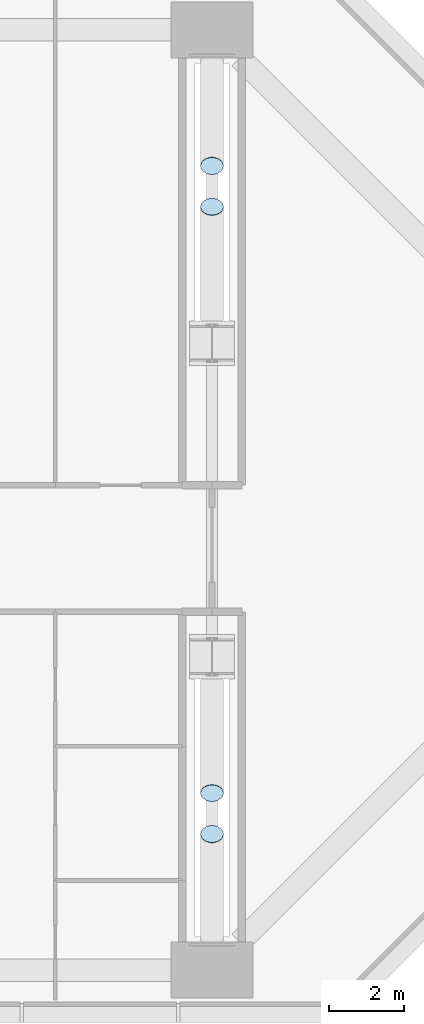
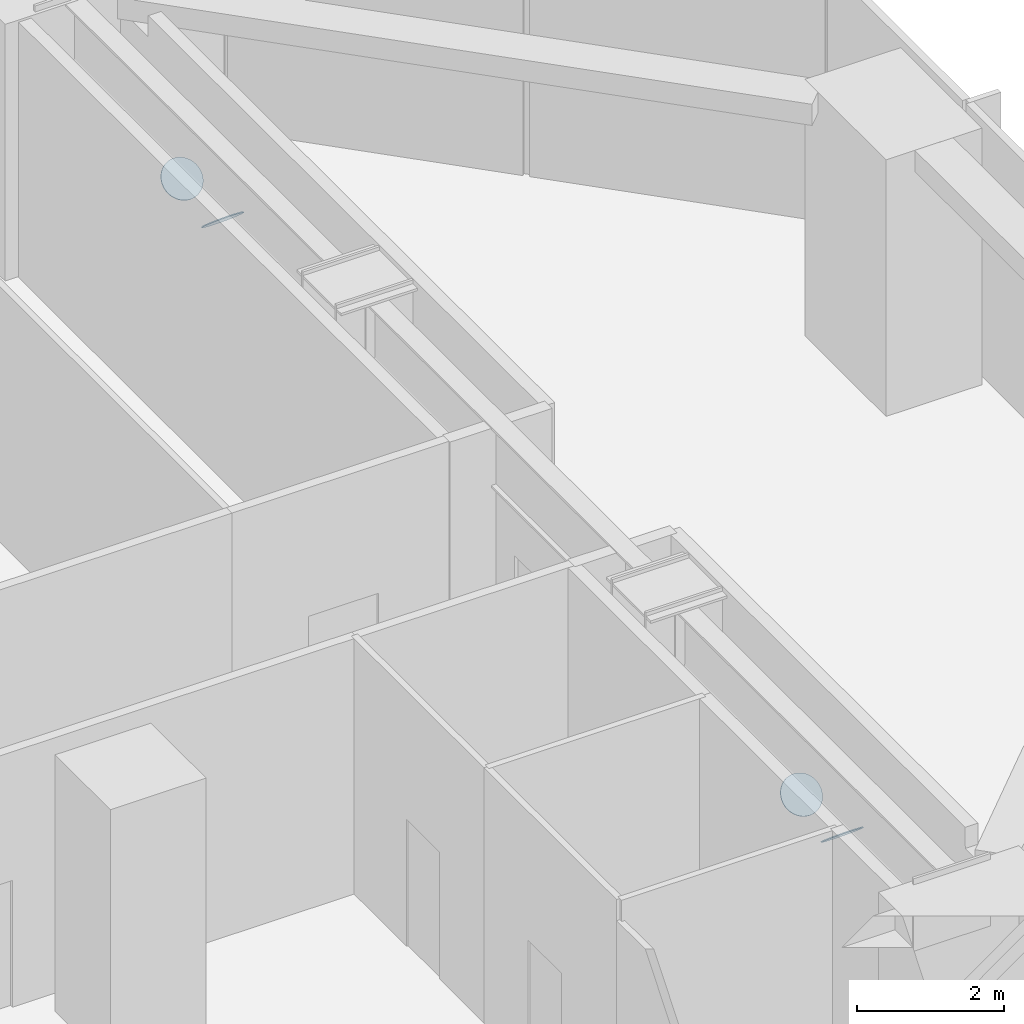
# One storey, part 8 of 18: 4 plates.
"""IFC4 building model written with IfcOpenShell, lengths in metres."""

import ifcopenshell
import ifcopenshell.guid

model = None  # the IFC model being written
_history = None  # IfcOwnerHistory: only IFC2X3 demands one
_inside = {}  # id of a spatial element -> (the spatial element, [elements in it])
_under = {}  # id of a project, library or spatial element -> (it, [spatial elements below it])
_declared = {}  # id of a project -> (the project, [libraries it declares])
_typed = {}  # id of a type object -> (the type object, [elements of that type])
_made_of = {}  # id of a material, layer set ... -> (it, [elements and type objects made of it])


def new_model(schema):
    """Start an empty IFC model of exactly this schema.

    Asked for "IFC4X3", IfcOpenShell would pick the latest addendum, in which some entities
    have other attributes; the version numbers below select the first issue.
    IFC2X3 requires an IfcOwnerHistory on every rooted entity: one is made here for all.
    """
    global model, _history
    if schema == "IFC4X3":
        model = ifcopenshell.file(schema_version=(4, 3, 0, 0))
    else:
        model = ifcopenshell.file(schema=schema)
    _inside.clear()
    _under.clear()
    _declared.clear()
    _typed.clear()
    _made_of.clear()
    _history = None
    if model.schema == "IFC2X3":
        org = make("IfcOrganization", Name="unknown")
        user = make(
            "IfcPersonAndOrganization",
            ThePerson=make("IfcPerson", FamilyName="unknown"),
            TheOrganization=org,
        )
        app = make(
            "IfcApplication",
            ApplicationDeveloper=org,
            Version="unknown",
            ApplicationFullName="unknown",
            ApplicationIdentifier="unknown",
        )
        _history = make(
            "IfcOwnerHistory",
            OwningUser=user,
            OwningApplication=app,
            ChangeAction="ADDED",
            CreationDate=0,
        )
    return model


def make(cls, **values):
    """One entity of the class cls with the attributes given. An attribute that is None is left unset."""
    return model.create_entity(
        cls, **{name: value for name, value in values.items() if value is not None}
    )


def rooted(cls, **values):
    """An entity with a GlobalId (a new one), such as an element, a storey or a relation."""
    return make(cls, GlobalId=ifcopenshell.guid.new(), OwnerHistory=_history, **values)


def si_unit(unit_type, name, prefix=None):
    """IfcSIUnit, for example si_unit("LENGTHUNIT", "METRE", prefix="MILLI")."""
    return make("IfcSIUnit", UnitType=unit_type, Prefix=prefix, Name=name)


def assignment(units):
    """IfcUnitAssignment: the units of a project."""
    return None if units is None else make("IfcUnitAssignment", Units=units)


def point(xyz):
    """IfcCartesianPoint."""
    return None if xyz is None else make("IfcCartesianPoint", Coordinates=xyz)


def direction(xyz):
    """IfcDirection."""
    return None if xyz is None else make("IfcDirection", DirectionRatios=xyz)


def frame(location, z_axis=None, x_axis=None):
    """IfcAxis2Placement3D, a coordinate frame: its origin and axes. An axis left out is left unset."""
    return make(
        "IfcAxis2Placement3D",
        Location=point(location),
        Axis=direction(z_axis),
        RefDirection=direction(x_axis),
    )


def frame_2d(location, x_axis=None):
    """IfcAxis2Placement2D, a coordinate frame in the plane: its origin and x axis."""
    return make(
        "IfcAxis2Placement2D", Location=point(location), RefDirection=direction(x_axis)
    )


def origin():
    """The frame at (0, 0, 0) with its axes left unset."""
    return frame((0.0, 0.0, 0.0))


def origin_2d():
    """The frame at (0, 0) in the plane with its x axis left unset."""
    return frame_2d((0.0, 0.0))


def place(relative_to, where):
    """IfcLocalPlacement: puts the frame where relative to a parent placement (None: the world)."""
    return make(
        "IfcLocalPlacement", PlacementRelTo=relative_to, RelativePlacement=where
    )


def context(
    kind, dimensions, precision=None, world=None, true_north=None, identifier=None
):
    """IfcGeometricRepresentationContext, for example the 3D "Model" context."""
    return make(
        "IfcGeometricRepresentationContext",
        ContextIdentifier=identifier,
        ContextType=kind,
        CoordinateSpaceDimension=dimensions,
        Precision=precision,
        WorldCoordinateSystem=world,
        TrueNorth=true_north,
    )


def subcontext(parent, identifier, kind, view, scale=None):
    """IfcGeometricRepresentationSubContext, for example "Body" below "Model"."""
    return make(
        "IfcGeometricRepresentationSubContext",
        ContextIdentifier=identifier,
        ContextType=kind,
        ParentContext=parent,
        TargetScale=scale,
        TargetView=view,
    )


def project(units=None, contexts=None):
    """IfcProject with its units and contexts."""
    return rooted(
        "IfcProject",
        Name="project",
        RepresentationContexts=contexts,
        UnitsInContext=assignment(units),
    )


def spatial(cls, under=None, at=None, **own):
    """A site, building, storey or space (cls), placed at a placement, below another one or the project."""
    s = rooted(cls, ObjectPlacement=at, **own)
    if under is not None:
        _under.setdefault(under.id(), (under, []))[1].append(s)
    return s


def profile(cls, at=None, kind="AREA", **sizes):
    """A parametric profile (cls). Its sizes go by their IFC names, for example OverallWidth=200.0."""
    return make(cls, ProfileType=kind, Position=at, **sizes)


def circle(**sizes):
    """IfcCircleProfileDef."""
    return profile("IfcCircleProfileDef", **sizes)


def extrude(swept, where, along, depth):
    """IfcExtrudedAreaSolid: the profile swept, set in the frame where, extruded along a direction by depth."""
    return make(
        "IfcExtrudedAreaSolid",
        SweptArea=swept,
        Position=where,
        ExtrudedDirection=direction(along),
        Depth=depth,
    )


def shape(context_of_items, identifier, shape_type, items):
    """IfcShapeRepresentation: the items that make up one representation, for example the "Body"."""
    return make(
        "IfcShapeRepresentation",
        ContextOfItems=context_of_items,
        RepresentationIdentifier=identifier,
        RepresentationType=shape_type,
        Items=items,
    )


def material(Name=None, Category=None):
    """IfcMaterial."""
    return make("IfcMaterial", Name=Name, Category=Category)


def material_profile(
    of_material, cross_section, Name=None, Category=None, Priority=None
):
    """IfcMaterialProfile: a cross section and its material."""
    return make(
        "IfcMaterialProfile",
        Name=Name,
        Material=of_material,
        Profile=cross_section,
        Priority=Priority,
        Category=Category,
    )


def profile_set(profiles, Name=None, composite=None):
    """IfcMaterialProfileSet."""
    return make(
        "IfcMaterialProfileSet",
        Name=Name,
        MaterialProfiles=profiles,
        CompositeProfile=composite,
    )


def made_of(thing, what):
    """Note that an element or type object is made of a material, layer set ...; save() writes the relation."""
    if what is not None:
        _made_of.setdefault(what.id(), (what, []))[1].append(thing)
    return thing


def type_object(cls, material=None, **own):
    """A type object (cls), such as IfcWallType, which elements share."""
    return made_of(rooted(cls, **own), material)


def element(
    cls,
    number,
    at=None,
    inside=None,
    cuts=None,
    type_object=None,
    material=None,
    context=None,
    identifier="Body",
    shape_type=None,
    held_by="IfcProductDefinitionShape",
    body=None,
    shapes=None,
    **own,
):
    """One element of the class cls, such as IfcWall. Its Tag is "e" and its number.

    at: its placement. inside: the storey or other place that contains it. cuts: it is an
    opening in that element (IfcRelVoidsElement). A single representation is given by context,
    identifier, shape_type and body (its items); several are given by shapes. held_by: the class
    of the entity that holds the representations. save() writes the other relations.
    """
    e = rooted(cls, Tag="e%d" % number, ObjectPlacement=at, **own)
    if body is not None:
        shapes = [shape(context, identifier, shape_type, body)]
    if shapes is not None:
        e.Representation = make(held_by, Representations=shapes)
    if inside is not None:
        _inside.setdefault(inside.id(), (inside, []))[1].append(e)
    if cuts is not None:
        rooted(
            "IfcRelVoidsElement", RelatingBuildingElement=cuts, RelatedOpeningElement=e
        )
    if type_object is not None:
        _typed.setdefault(type_object.id(), (type_object, []))[1].append(e)
    return made_of(e, material)


def aggregate(whole, parts):
    """IfcRelAggregates: a whole, such as a stair, and the parts it consists of."""
    return rooted("IfcRelAggregates", RelatingObject=whole, RelatedObjects=parts)


def save(model, path):
    """Write the relations noted so far, then the file.

    IfcRelAggregates (storeys below a building ...), IfcRelContainedInSpatialStructure (elements
    in a storey), IfcRelDefinesByType, IfcRelAssociatesMaterial and IfcRelDeclares: one each for
    every whole, place, type object, material and project.
    """
    for whole, parts in _under.values():
        aggregate(whole, parts)
    for where, things in _inside.values():
        rooted(
            "IfcRelContainedInSpatialStructure",
            RelatedElements=things,
            RelatingStructure=where,
        )
    for kind, things in _typed.values():
        rooted("IfcRelDefinesByType", RelatedObjects=things, RelatingType=kind)
    for what, things in _made_of.values():
        rooted("IfcRelAssociatesMaterial", RelatedObjects=things, RelatingMaterial=what)
    for by, libraries in _declared.values():
        rooted("IfcRelDeclares", RelatingContext=by, RelatedDefinitions=libraries)
    model.write(path)


model = new_model("IFC4")

# Units and contexts
model_context = context("Model", 3, precision=1e-05, world=origin(), true_north=direction((0.0, 1.0)))
body_context = subcontext(model_context, "Body", "Model", "MODEL_VIEW")
ifc_project = project(units=[si_unit("LENGTHUNIT", "METRE"), si_unit("AREAUNIT", "SQUARE_METRE"), si_unit("VOLUMEUNIT", "CUBIC_METRE"), si_unit("PLANEANGLEUNIT", "RADIAN"), si_unit("MASSUNIT", "GRAM", prefix="KILO")], contexts=[model_context])

# Site, building, storey
site_placement = place(None, origin())
site = spatial("IfcSite", under=ifc_project, at=site_placement, CompositionType="ELEMENT")
building_placement = place(site_placement, origin())
building = spatial("IfcBuilding", under=site, at=building_placement, Name="Brevane Broadcast Tower", CompositionType="ELEMENT")
storey_placement = place(building_placement, frame((0.0, 0.0, 27.5)))
storey = spatial("IfcBuildingStorey", under=building, at=storey_placement, Name="L04", CompositionType="ELEMENT", Elevation=27.5)

# Plates
ifc_material = material(Name="Steel S355", Category="steel")
ifc_material_profile = material_profile(ifc_material, circle(Radius=0.304931640625, at=origin_2d()), Name="PL 610 DIA x 15")
ifc_profile_set = profile_set([ifc_material_profile], Name="Steel S355")
plate_type = type_object("IfcPlateType", Name="STEEL END CAP PLATE 610 DIA x 15", PredefinedType="SHEET", material=ifc_profile_set)
for number, where, z_axis, x_axis, name in (
    (1, (58.800048828125, 3.63916015625, 3.057373046875), (0.0, 0.665370524754, 0.746513271676), (-1.0, 0.0, 0.0), "End cap plate EC6-128"),
    (2, (58.800048828125, 4.75244140625, 3.050048828125), (0.0, -0.690857771546, 0.722990691153), (1.0, 0.0, 0.0), "End cap plate EC6-130"),
    (3, (58.800048828125, 21.560791015625, 3.057373046875), (0.0, -0.665370524754, 0.746513271676), (1.0, 0.0, 0.0), "End cap plate EC6-131"),
    (4, (58.800048828125, 20.44775390625, 3.050048828125), (0.0, 0.68231825036, 0.731055268243), (-1.0, 0.0, 0.0), "End cap plate EC6-133"),
):
    element("IfcPlate", number, at=place(storey_placement, frame(where, z_axis=z_axis, x_axis=x_axis)), inside=storey, type_object=plate_type, Name=name, PredefinedType="SHEET", context=body_context, shape_type="SweptSolid", body=[
        extrude(circle(Radius=0.304931640625, at=origin_2d()), origin(), (0.0, 0.0, 1.0), 0.01513671875),
    ])

save(model, "model.ifc")
